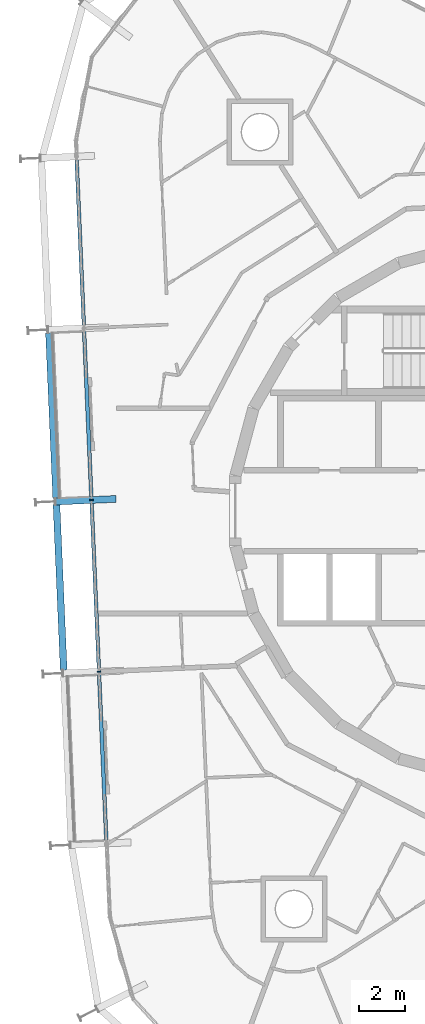
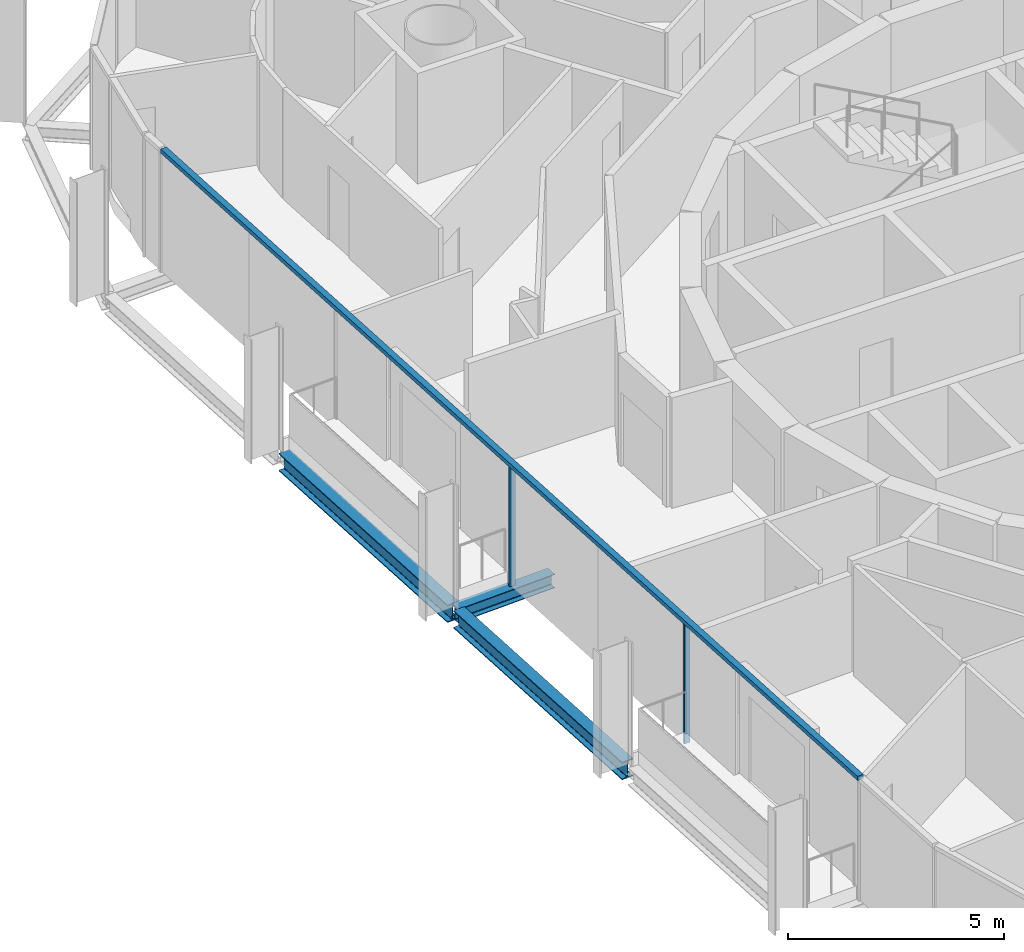
# One storey, part 4 of 18: 3 beams, 3 members, 1 element without a shape of its own.
"""IFC4 building model written with IfcOpenShell, lengths in metres."""

from ifc_helpers import new_model, si_unit, direction, frame, origin, origin_2d, place, context, subcontext, project, spatial, rectangle, i_section, extrude, material, layer, layer_set, material_profile, profile_set, type_object, element, aggregate, save


model = new_model("IFC4")

# Units and contexts
model_context = context("Model", 3, precision=1e-05, world=origin(), true_north=direction((0.0, 1.0)))
body_context = subcontext(model_context, "Body", "Model", "MODEL_VIEW")
ifc_project = project(units=[si_unit("LENGTHUNIT", "METRE"), si_unit("AREAUNIT", "SQUARE_METRE"), si_unit("VOLUMEUNIT", "CUBIC_METRE"), si_unit("PLANEANGLEUNIT", "RADIAN"), si_unit("MASSUNIT", "GRAM", prefix="KILO")], contexts=[model_context])

# Site, building, storey
site_placement = place(None, origin())
site = spatial("IfcSite", under=ifc_project, at=site_placement, CompositionType="ELEMENT")
building_placement = place(site_placement, origin())
building = spatial("IfcBuilding", under=site, at=building_placement, Name="Spindle Arch Residences", CompositionType="ELEMENT")
storey_placement = place(building_placement, frame((0.0, 0.0, 230.199951171875)))
storey = spatial("IfcBuildingStorey", under=building, at=storey_placement, Name="L58", CompositionType="ELEMENT", Elevation=230.199951171875)

# Curtain wall, members
ifc_material_1 = material(Name="Aluminium bronze unitised frame with tinted glass", Category="aluminium")
ifc_layer = layer(ifc_material_1, 0.159912109375)
ifc_layer_set = layer_set([ifc_layer], Name="CW-C typical residential unitised wall")
curtain_wall_type = type_object("IfcCurtainWallType", Name="CW-C typical residential unitised wall", PredefinedType="NOTDEFINED", material=ifc_layer_set)
curtain_wall_placement = place(storey_placement, origin())
curtain_wall = element("IfcCurtainWall", 1, at=curtain_wall_placement, inside=storey, type_object=curtain_wall_type, Name="CW-C L58 run 4", PredefinedType="NOTDEFINED")
ifc_material_2 = material(Name="Aluminium bronze anodised mullion", Category="aluminium")
ifc_material_profile_1 = material_profile(ifc_material_2, rectangle(XDim=0.159912109375, YDim=0.06005859375, at=origin_2d()), Name="MU 60x160")
ifc_profile_set_1 = profile_set([ifc_material_profile_1], Name="Aluminium bronze anodised mullion")
member_type_1 = type_object("IfcMemberType", Name="Bronze mullion 60x160", PredefinedType="MULLION", material=ifc_profile_set_1)
member_1_placement = place(storey_placement, frame((-17.9521484375, 0.472412109375, -0.3798828125), z_axis=(0.0, 0.0, 1.0), x_axis=(0.999048221582, 0.043619387365, 0.0)))
member_1 = element("IfcMember", 2, at=member_1_placement, type_object=member_type_1, Name="CW-C mullion 14", PredefinedType="MULLION", context=body_context, shape_type="SweptSolid", body=[
    extrude(rectangle(XDim=0.159912109375, YDim=0.06005859375, at=origin_2d()), origin(), (0.0, 0.0, 1.0), 3.3798828125),
])
member_2_placement = place(storey_placement, frame((-17.62353515625, -7.050537109375, -0.3798828125), z_axis=(0.0, 0.0, 1.0), x_axis=(0.999048221582, 0.043619387365, 0.0)))
member_2 = element("IfcMember", 3, at=member_2_placement, type_object=member_type_1, Name="CW-C mullion 15", PredefinedType="MULLION", context=body_context, shape_type="SweptSolid", body=[
    extrude(rectangle(XDim=0.159912109375, YDim=0.06005859375, at=origin_2d()), origin(), (0.0, 0.0, 1.0), 3.3798828125),
])
ifc_material_3 = material(Name="Aluminium bronze anodised transom", Category="aluminium")
ifc_material_profile_2 = material_profile(ifc_material_3, rectangle(XDim=0.159912109375, YDim=0.1201171875, at=origin_2d()), Name="TR 120x160")
ifc_profile_set_2 = profile_set([ifc_material_profile_2], Name="Aluminium bronze anodised transom")
member_type_2 = type_object("IfcMemberType", Name="Bronze transom 120x160", PredefinedType="USERDEFINED", material=ifc_profile_set_2)
member_3_placement = place(storey_placement, frame((-18.607666015625, 15.48828125, 3.06005859375), z_axis=(0.043621555075, -0.999048126935, 0.0), x_axis=(0.999048126935, 0.043621555075, 0.0)))
member_3 = element("IfcMember", 4, at=member_3_placement, type_object=member_type_2, Name="CW-C transom 00", ObjectType="TRANSOM", PredefinedType="USERDEFINED", context=body_context, shape_type="SweptSolid", body=[
    extrude(rectangle(XDim=0.159912109375, YDim=0.1201171875, at=origin_2d()), origin(), (0.0, 0.0, 1.0), 30.060302734375),
])
aggregate(curtain_wall, [member_3, member_1, member_2])

# Beams
ifc_material_4 = material(Name="Steel S460ML, intumescent coating R 120", Category="steel")
ifc_material_profile_3 = material_profile(ifc_material_4, i_section(OverallWidth=0.300048828125, OverallDepth=0.5, WebThickness=0.014404296875, FlangeThickness=0.028076171875, FilletRadius=0.027099609375, at=origin_2d()), Name="HEB 500")
ifc_profile_set_3 = profile_set([ifc_material_profile_3], Name="Steel S460ML, intumescent coating R 120")
beam_type_1 = type_object("IfcBeamType", Name="Exoskeleton edge beam HEB 500", PredefinedType="BEAM", material=ifc_profile_set_3)
for number, where, z_axis, x_axis, name in (
    (5, (-19.8134765625, 7.79833984375, -0.6298828125), (0.043655819138, -0.999046630271, 0.0), (0.999046630271, 0.043655819138, 0.0), "Exoskeleton edge beam 14"),
    (6, (-19.48486328125, 0.275390625, -0.6298828125), (0.043622301665, -0.999048094337, 0.0), (0.999048094337, 0.043622301665, 0.0), "Exoskeleton edge beam 15"),
):
    element("IfcBeam", number, at=place(storey_placement, frame(where, z_axis=z_axis, x_axis=x_axis)), inside=storey, type_object=beam_type_1, Name=name, PredefinedType="BEAM", context=body_context, shape_type="SweptSolid", body=[
        extrude(i_section(OverallWidth=0.300048828125, OverallDepth=0.5, WebThickness=0.014404296875, FlangeThickness=0.028076171875, FilletRadius=0.027099609375, at=origin_2d()), origin(), (0.0, 0.0, 1.0), 7.27001953125),
    ])
ifc_material_5 = material(Name="Steel S460ML, intumescent coating R 120", Category="steel")
ifc_material_profile_4 = material_profile(ifc_material_5, i_section(OverallWidth=0.300048828125, OverallDepth=0.389892578125, WebThickness=0.010986328125, FlangeThickness=0.01904296875, FilletRadius=0.027099609375, at=origin_2d()), Name="HEA 400")
ifc_profile_set_4 = profile_set([ifc_material_profile_4], Name="Steel S460ML, intumescent coating R 120")
beam_type_2 = type_object("IfcBeamType", Name="Floor outrigger HEA 400", PredefinedType="BEAM", material=ifc_profile_set_4)
beam_placement = place(storey_placement, frame((-19.5205078125, 0.40380859375, -0.574951171875), z_axis=(0.999046049411, 0.043669109869, 0.0), x_axis=(-0.043669109869, 0.999046049411, 0.0)))
element("IfcBeam", 7, at=beam_placement, inside=storey, type_object=beam_type_2, Name="Floor outrigger 15", PredefinedType="BEAM", context=body_context, shape_type="SweptSolid", body=[
    extrude(i_section(OverallWidth=0.300048828125, OverallDepth=0.389892578125, WebThickness=0.010986328125, FlangeThickness=0.01904296875, FilletRadius=0.027099609375, at=origin_2d()), origin(), (0.0, 0.0, 1.0), 2.64990234375),
])

save(model, "model.ifc")
